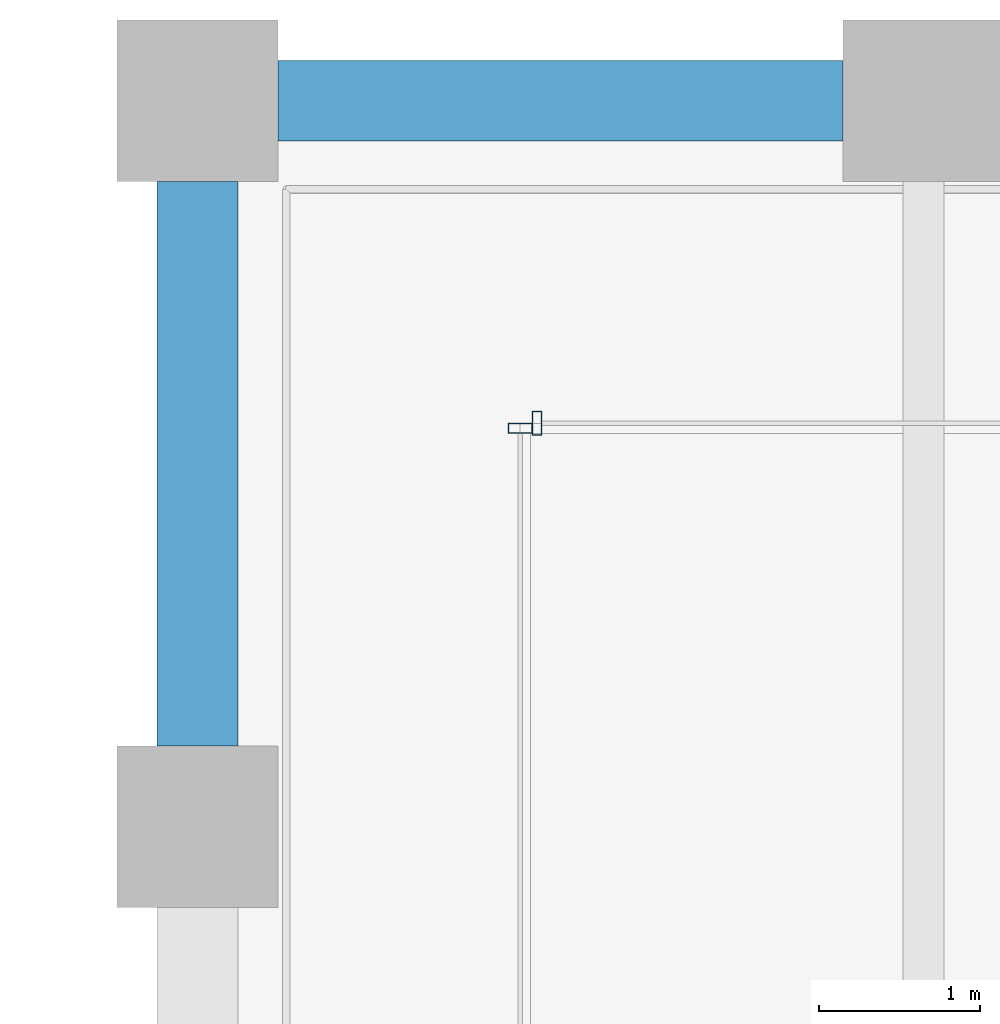
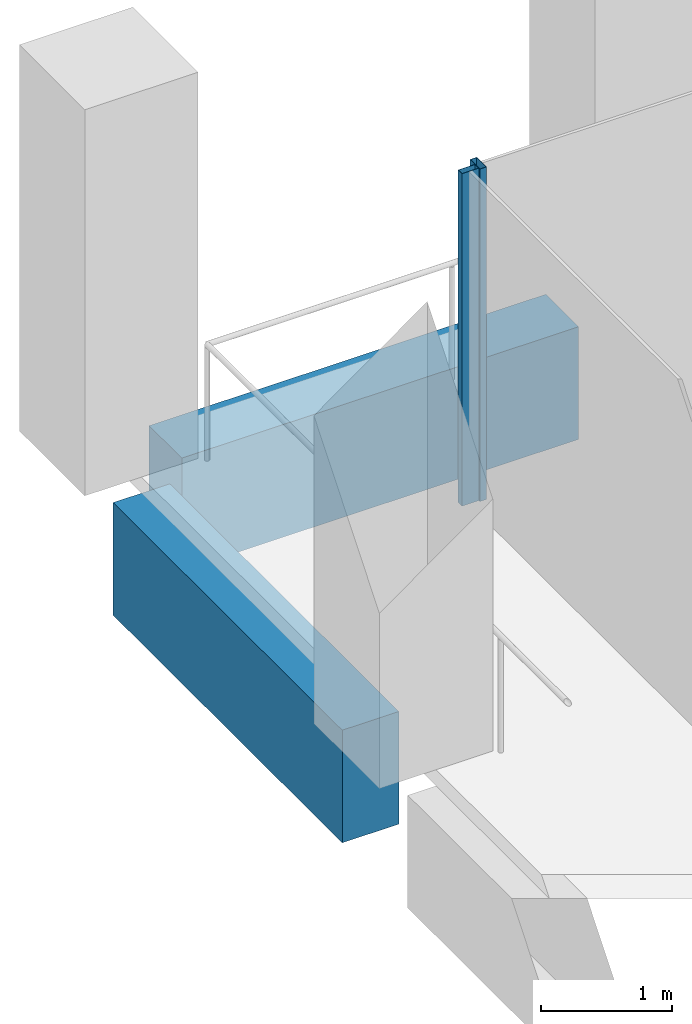
# One storey, part 21 of 46: 2 beams, 2 members, 2 elements without a shape of their own.
"""IFC4 building model written with IfcOpenShell, lengths in metres."""

from ifc_helpers import new_model, si_unit, direction, frame, origin, origin_2d, place, context, subcontext, project, spatial, rectangle, hollow_rectangle, extrude, material, material_profile, profile_set, type_object, element, aggregate, save


model = new_model("IFC4")

# Units and contexts
model_context = context("Model", 3, precision=1e-05, world=origin(), true_north=direction((0.0, 1.0)))
body_context = subcontext(model_context, "Body", "Model", "MODEL_VIEW")
ifc_project = project(units=[si_unit("LENGTHUNIT", "METRE"), si_unit("AREAUNIT", "SQUARE_METRE"), si_unit("VOLUMEUNIT", "CUBIC_METRE"), si_unit("PLANEANGLEUNIT", "RADIAN"), si_unit("MASSUNIT", "GRAM", prefix="KILO")], contexts=[model_context])

# Site, building, storey
site_placement = place(None, origin())
site = spatial("IfcSite", under=ifc_project, at=site_placement, CompositionType="ELEMENT")
building_placement = place(site_placement, origin())
building = spatial("IfcBuilding", under=site, at=building_placement, Name="Altepetl Exchange Towers", CompositionType="ELEMENT")
storey_placement = place(building_placement, frame((0.0, 0.0, 102.800048828125)))
storey = spatial("IfcBuildingStorey", under=building, at=storey_placement, Name="L25", CompositionType="ELEMENT", Elevation=102.800048828125)

# Curtain wall, member
ifc_material_1 = material(Name="Aluminium 6063-T6 glazing", Category="aluminium")
curtain_wall_type = type_object("IfcCurtainWallType", Name="Loggia glazing system", PredefinedType="NOTDEFINED", material=ifc_material_1)
curtain_wall_1_placement = place(storey_placement, origin())
curtain_wall_1 = element("IfcCurtainWall", 1, at=curtain_wall_1_placement, inside=storey, type_object=curtain_wall_type, Name="CW1 run", PredefinedType="NOTDEFINED")
ifc_material_2 = material(Name="Aluminium 6063-T6", Category="aluminium")
ifc_material_profile_1 = material_profile(ifc_material_2, hollow_rectangle(XDim=0.06005859375, YDim=0.14990234375, WallThickness=0.0029296875, at=origin_2d()), Name="Mullion 60x150 aluminium")
ifc_profile_set_1 = profile_set([ifc_material_profile_1], Name="Aluminium 6063-T6")
member_type = type_object("IfcMemberType", Name="Mullion 60x150 aluminium", PredefinedType="MULLION", material=ifc_profile_set_1)
member_1_placement = place(storey_placement, frame((42.60498046875, 70.0, 0.0), z_axis=(0.0, 0.0, 1.0), x_axis=(-1.0, 0.0, 0.0)))
member_1 = element("IfcMember", 2, at=member_1_placement, type_object=member_type, Name="MU1 mullion", PredefinedType="MULLION", context=body_context, shape_type="SweptSolid", body=[
    extrude(hollow_rectangle(XDim=0.06005859375, YDim=0.14990234375, WallThickness=0.0029296875, at=origin_2d()), origin(), (0.0, 0.0, 1.0), 3.099853515625),
])
aggregate(curtain_wall_1, [member_1])

curtain_wall_2_placement = place(storey_placement, origin())
curtain_wall_2 = element("IfcCurtainWall", 3, at=curtain_wall_2_placement, inside=storey, type_object=curtain_wall_type, Name="CW1 run", PredefinedType="NOTDEFINED")
member_2_placement = place(storey_placement, frame((42.5, 69.969970703125, 0.0), z_axis=(0.0, 0.0, 1.0), x_axis=(0.0, -1.0, 0.0)))
member_2 = element("IfcMember", 4, at=member_2_placement, type_object=member_type, Name="MU1 mullion", PredefinedType="MULLION", context=body_context, shape_type="SweptSolid", body=[
    extrude(hollow_rectangle(XDim=0.06005859375, YDim=0.14990234375, WallThickness=0.0029296875, at=origin_2d()), origin(), (0.0, 0.0, 1.0), 3.099853515625),
])
aggregate(curtain_wall_2, [member_2])

# Beams
ifc_material_3 = material(Name="Concrete C50/60 precast with cantera rosa facing", Category="concrete")
ifc_material_profile_2 = material_profile(ifc_material_3, rectangle(XDim=0.5, YDim=1.050048828125, at=origin_2d()), Name="500 x 1050")
ifc_profile_set_2 = profile_set([ifc_material_profile_2], Name="Concrete C50/60 precast with cantera rosa facing")
beam_type_1 = type_object("IfcBeamType", Name="Spandrel beam 500x1050 cantera rosa", PredefinedType="SPANDREL", material=ifc_profile_set_2)
beam_1_placement = place(storey_placement, frame((44.5, 72.0, -0.675048828125), z_axis=(-1.0, 0.0, 0.0), x_axis=(0.0, -1.0, 0.0)))
element("IfcBeam", 5, at=beam_1_placement, inside=storey, type_object=beam_type_1, Name="sp:A:L25:029", PredefinedType="SPANDREL", context=body_context, shape_type="SweptSolid", body=[
    extrude(rectangle(XDim=0.5, YDim=1.050048828125, at=origin_2d()), origin(), (0.0, 0.0, 1.0), 3.5),
])
ifc_material_4 = material(Name="Concrete C50/60 precast with tezontle facing", Category="concrete")
ifc_material_profile_3 = material_profile(ifc_material_4, rectangle(XDim=0.5, YDim=1.050048828125, at=origin_2d()), Name="500 x 1050")
ifc_profile_set_3 = profile_set([ifc_material_profile_3], Name="Concrete C50/60 precast with tezontle facing")
beam_type_2 = type_object("IfcBeamType", Name="Spandrel beam 500x1050 tezontle", PredefinedType="SPANDREL", material=ifc_profile_set_3)
beam_2_placement = place(storey_placement, frame((40.5, 71.5, -0.675048828125), z_axis=(0.0, -1.0, 0.0), x_axis=(1.0, 0.0, 0.0)))
element("IfcBeam", 6, at=beam_2_placement, inside=storey, type_object=beam_type_2, Name="sp:A:L25:030", PredefinedType="SPANDREL", context=body_context, shape_type="SweptSolid", body=[
    extrude(rectangle(XDim=0.5, YDim=1.050048828125, at=origin_2d()), origin(), (0.0, 0.0, 1.0), 3.5),
])

save(model, "model.ifc")
